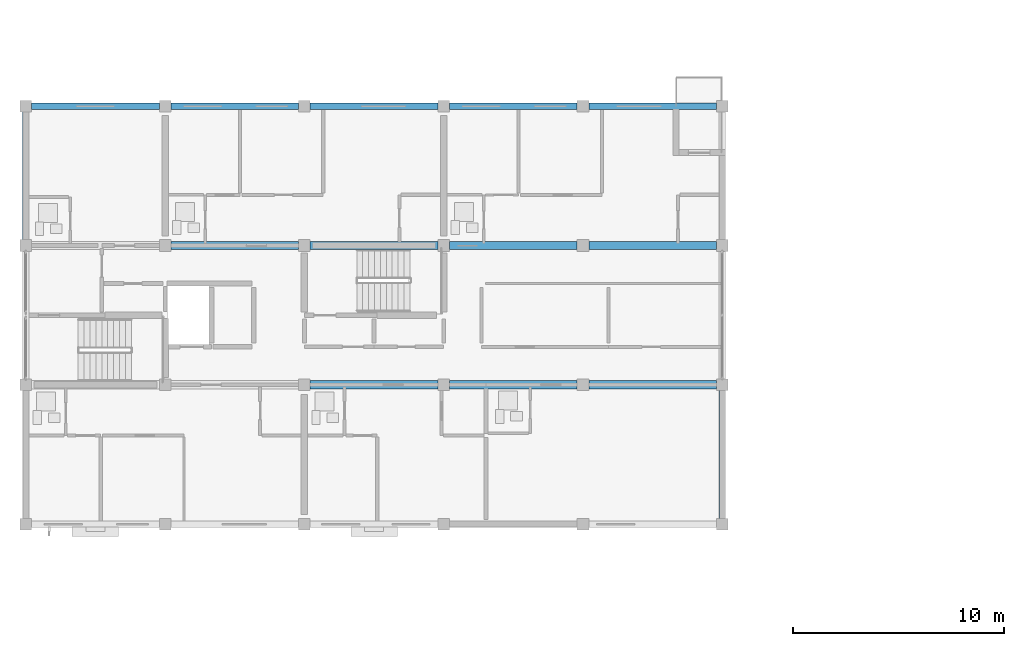
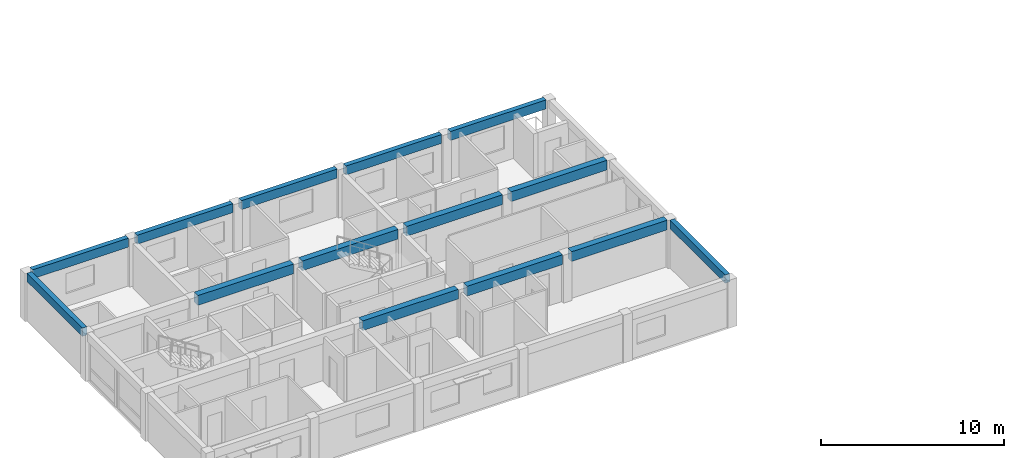
# One storey, part 16 of 49: 14 beams.
"""IFC4 building model written with IfcOpenShell, lengths in metres."""

from ifc_helpers import new_model, si_unit, direction, frame, origin, origin_2d, place, context, subcontext, project, spatial, rectangle, extrude, material, material_profile, profile_set, type_object, element, save


model = new_model("IFC4")

# Units and contexts
model_context = context("Model", 3, precision=1e-05, world=origin(), true_north=direction((0.0, 1.0)))
body_context = subcontext(model_context, "Body", "Model", "MODEL_VIEW")
ifc_project = project(units=[si_unit("LENGTHUNIT", "METRE"), si_unit("AREAUNIT", "SQUARE_METRE"), si_unit("VOLUMEUNIT", "CUBIC_METRE"), si_unit("PLANEANGLEUNIT", "RADIAN"), si_unit("MASSUNIT", "GRAM", prefix="KILO")], contexts=[model_context])

# Site, building, storey
site_placement = place(None, origin())
site = spatial("IfcSite", under=ifc_project, at=site_placement, CompositionType="ELEMENT")
building_placement = place(site_placement, origin())
building = spatial("IfcBuilding", under=site, at=building_placement, Name="Kernevlak Ridge Housing Community", CompositionType="ELEMENT")
storey_placement = place(building_placement, frame((0.0, 0.0, 30.800048828125)))
storey = spatial("IfcBuildingStorey", under=building, at=storey_placement, Name="L09", CompositionType="ELEMENT", Elevation=30.800048828125)

# Beams
ifc_material = material(Name="Concrete C35/45", Category="concrete")
ifc_material_profile_1 = material_profile(ifc_material, rectangle(XDim=0.39990234375, YDim=0.64990234375, at=origin_2d()), Name="RC 400x650")
ifc_profile_set_1 = profile_set([ifc_material_profile_1], Name="Concrete C35/45")
beam_type_1 = type_object("IfcBeamType", Name="B-03", PredefinedType="T_BEAM", material=ifc_profile_set_1)
for number, where, z_axis, x_axis, name in (
    (1, (29.074951171875, 82.60009765625, 2.875), (1.0, 0.0, 0.0), (0.0, 1.0, 0.0), "Beam B-03 L09 298"),
    (2, (35.675048828125, 82.60009765625, 2.875), (1.0, 0.0, 0.0), (0.0, 1.0, 0.0), "Beam B-03 L09 299"),
    (3, (42.27490234375, 82.60009765625, 2.875), (1.0, 0.0, 0.0), (0.0, 1.0, 0.0), "Beam B-03 L09 300"),
):
    element("IfcBeam", number, at=place(storey_placement, frame(where, z_axis=z_axis, x_axis=x_axis)), inside=storey, type_object=beam_type_1, Name=name, PredefinedType="T_BEAM", context=body_context, shape_type="SweptSolid", body=[
        extrude(rectangle(XDim=0.39990234375, YDim=0.64990234375, at=origin_2d()), origin(), (0.0, 0.0, 1.0), 6.050048828125),
    ])
beam_1_placement = place(storey_placement, frame((22.47509765625, 89.199951171875, 2.875), z_axis=(1.0, 0.0, 0.0), x_axis=(0.0, 1.0, 0.0)))
element("IfcBeam", 4, at=beam_1_placement, inside=storey, type_object=beam_type_1, Name="Beam B-03 L09 302", PredefinedType="T_BEAM", context=body_context, shape_type="SweptSolid", body=[
    extrude(rectangle(XDim=0.39990234375, YDim=0.64990234375, at=origin_2d()), origin(), (0.0, 0.0, 1.0), 6.0498046875),
])
for number, where, z_axis, x_axis, name in (
    (5, (29.074951171875, 89.199951171875, 2.875), (1.0, 0.0, 0.0), (0.0, 1.0, 0.0), "Beam B-03 L09 303"),
    (6, (35.675048828125, 89.199951171875, 2.875), (1.0, 0.0, 0.0), (0.0, 1.0, 0.0), "Beam B-03 L09 304"),
    (7, (42.27490234375, 89.199951171875, 2.875), (1.0, 0.0, 0.0), (0.0, 1.0, 0.0), "Beam B-03 L09 305"),
):
    element("IfcBeam", number, at=place(storey_placement, frame(where, z_axis=z_axis, x_axis=x_axis)), inside=storey, type_object=beam_type_1, Name=name, PredefinedType="T_BEAM", context=body_context, shape_type="SweptSolid", body=[
        extrude(rectangle(XDim=0.39990234375, YDim=0.64990234375, at=origin_2d()), origin(), (0.0, 0.0, 1.0), 6.050048828125),
    ])
ifc_material_profile_2 = material_profile(ifc_material, rectangle(XDim=0.300048828125, YDim=0.550048828125, at=origin_2d()), Name="RC 300x550")
ifc_profile_set_2 = profile_set([ifc_material_profile_2], Name="Concrete C35/45")
beam_type_2 = type_object("IfcBeamType", Name="SP-01", PredefinedType="SPANDREL", material=ifc_profile_set_2)
beam_2_placement = place(storey_placement, frame((15.60009765625, 89.47509765625, 2.925048828125), z_axis=(0.0, 1.0, 0.0), x_axis=(-1.0, 0.0, 0.0)))
element("IfcBeam", 8, at=beam_2_placement, inside=storey, type_object=beam_type_2, Name="Beam SP-01 L09 313", PredefinedType="SPANDREL", context=body_context, shape_type="SweptSolid", body=[
    extrude(rectangle(XDim=0.300048828125, YDim=0.550048828125, at=origin_2d()), origin(), (0.0, 0.0, 1.0), 6.0498046875),
])
beam_3_placement = place(storey_placement, frame((48.60009765625, 76.27490234375, 2.925048828125), z_axis=(0.0, 1.0, 0.0), x_axis=(-1.0, 0.0, 0.0)))
element("IfcBeam", 9, at=beam_3_placement, inside=storey, type_object=beam_type_2, Name="Beam SP-01 L09 314", PredefinedType="SPANDREL", context=body_context, shape_type="SweptSolid", body=[
    extrude(rectangle(XDim=0.300048828125, YDim=0.550048828125, at=origin_2d()), origin(), (0.0, 0.0, 1.0), 6.050048828125),
])
ifc_material_profile_3 = material_profile(ifc_material, rectangle(XDim=0.300048828125, YDim=0.60009765625, at=origin_2d()), Name="RC 300x600")
ifc_profile_set_3 = profile_set([ifc_material_profile_3], Name="Concrete C35/45")
beam_type_3 = type_object("IfcBeamType", Name="SP-02", PredefinedType="SPANDREL", material=ifc_profile_set_3)
beam_4_placement = place(storey_placement, frame((15.875, 95.800048828125, 2.89990234375), z_axis=(1.0, 0.0, 0.0), x_axis=(0.0, 1.0, 0.0)))
element("IfcBeam", 10, at=beam_4_placement, inside=storey, type_object=beam_type_3, Name="Beam SP-02 L09 306", PredefinedType="SPANDREL", context=body_context, shape_type="SweptSolid", body=[
    extrude(rectangle(XDim=0.300048828125, YDim=0.60009765625, at=origin_2d()), origin(), (0.0, 0.0, 1.0), 6.050048828125),
])
beam_5_placement = place(storey_placement, frame((22.47509765625, 95.800048828125, 2.89990234375), z_axis=(1.0, 0.0, 0.0), x_axis=(0.0, 1.0, 0.0)))
element("IfcBeam", 11, at=beam_5_placement, inside=storey, type_object=beam_type_3, Name="Beam SP-02 L09 307", PredefinedType="SPANDREL", context=body_context, shape_type="SweptSolid", body=[
    extrude(rectangle(XDim=0.300048828125, YDim=0.60009765625, at=origin_2d()), origin(), (0.0, 0.0, 1.0), 6.0498046875),
])
for number, where, z_axis, x_axis, name in (
    (12, (29.074951171875, 95.800048828125, 2.89990234375), (1.0, 0.0, 0.0), (0.0, 1.0, 0.0), "Beam SP-02 L09 308"),
    (13, (35.675048828125, 95.800048828125, 2.89990234375), (1.0, 0.0, 0.0), (0.0, 1.0, 0.0), "Beam SP-02 L09 309"),
    (14, (42.27490234375, 95.800048828125, 2.89990234375), (1.0, 0.0, 0.0), (0.0, 1.0, 0.0), "Beam SP-02 L09 310"),
):
    element("IfcBeam", number, at=place(storey_placement, frame(where, z_axis=z_axis, x_axis=x_axis)), inside=storey, type_object=beam_type_3, Name=name, PredefinedType="SPANDREL", context=body_context, shape_type="SweptSolid", body=[
        extrude(rectangle(XDim=0.300048828125, YDim=0.60009765625, at=origin_2d()), origin(), (0.0, 0.0, 1.0), 6.050048828125),
    ])

save(model, "model.ifc")
